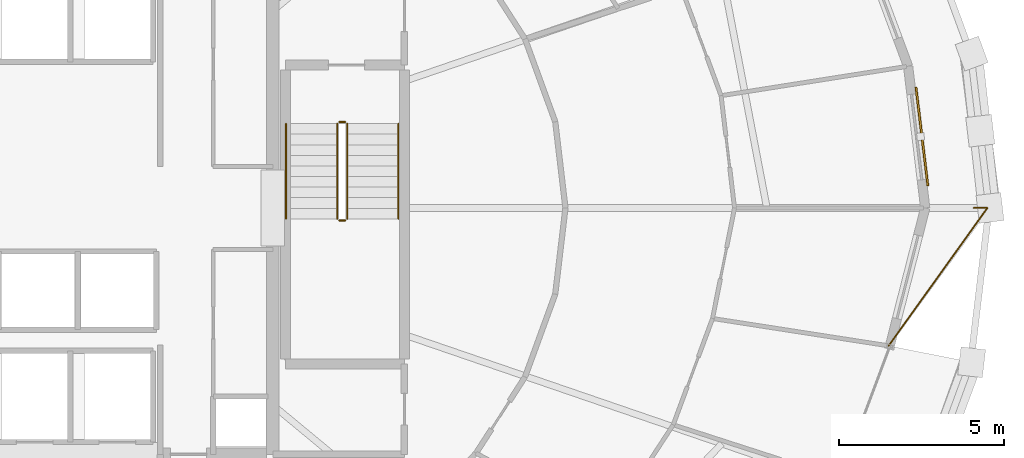
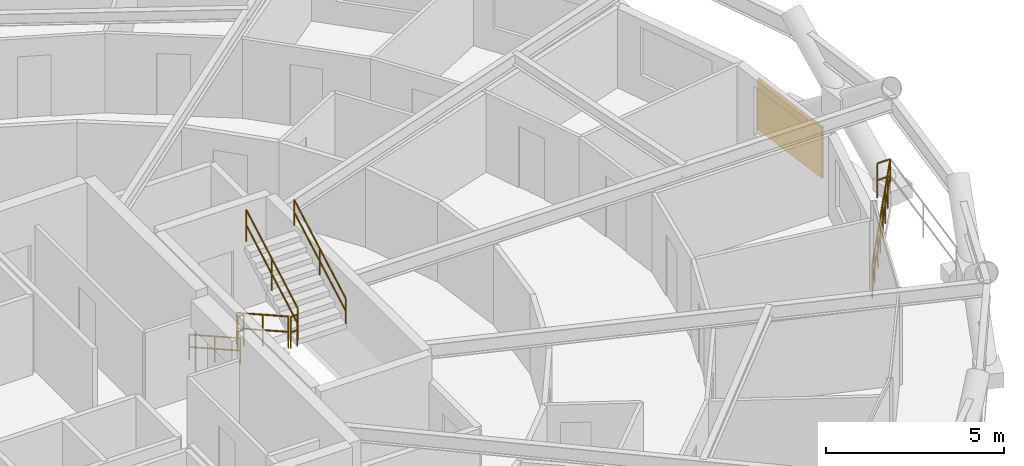
# One storey, part 23 of 23: 7 railings, 1 shading device.
"""IFC4 building model written with IfcOpenShell, lengths in metres."""

import ifcopenshell
import ifcopenshell.guid

model = None  # the IFC model being written
_history = None  # IfcOwnerHistory: only IFC2X3 demands one
_inside = {}  # id of a spatial element -> (the spatial element, [elements in it])
_under = {}  # id of a project, library or spatial element -> (it, [spatial elements below it])
_declared = {}  # id of a project -> (the project, [libraries it declares])
_typed = {}  # id of a type object -> (the type object, [elements of that type])
_made_of = {}  # id of a material, layer set ... -> (it, [elements and type objects made of it])


def new_model(schema):
    """Start an empty IFC model of exactly this schema.

    Asked for "IFC4X3", IfcOpenShell would pick the latest addendum, in which some entities
    have other attributes; the version numbers below select the first issue.
    IFC2X3 requires an IfcOwnerHistory on every rooted entity: one is made here for all.
    """
    global model, _history
    if schema == "IFC4X3":
        model = ifcopenshell.file(schema_version=(4, 3, 0, 0))
    else:
        model = ifcopenshell.file(schema=schema)
    _inside.clear()
    _under.clear()
    _declared.clear()
    _typed.clear()
    _made_of.clear()
    _history = None
    if model.schema == "IFC2X3":
        org = make("IfcOrganization", Name="unknown")
        user = make(
            "IfcPersonAndOrganization",
            ThePerson=make("IfcPerson", FamilyName="unknown"),
            TheOrganization=org,
        )
        app = make(
            "IfcApplication",
            ApplicationDeveloper=org,
            Version="unknown",
            ApplicationFullName="unknown",
            ApplicationIdentifier="unknown",
        )
        _history = make(
            "IfcOwnerHistory",
            OwningUser=user,
            OwningApplication=app,
            ChangeAction="ADDED",
            CreationDate=0,
        )
    return model


def make(cls, **values):
    """One entity of the class cls with the attributes given. An attribute that is None is left unset."""
    return model.create_entity(
        cls, **{name: value for name, value in values.items() if value is not None}
    )


def rooted(cls, **values):
    """An entity with a GlobalId (a new one), such as an element, a storey or a relation."""
    return make(cls, GlobalId=ifcopenshell.guid.new(), OwnerHistory=_history, **values)


def si_unit(unit_type, name, prefix=None):
    """IfcSIUnit, for example si_unit("LENGTHUNIT", "METRE", prefix="MILLI")."""
    return make("IfcSIUnit", UnitType=unit_type, Prefix=prefix, Name=name)


def assignment(units):
    """IfcUnitAssignment: the units of a project."""
    return None if units is None else make("IfcUnitAssignment", Units=units)


def point(xyz):
    """IfcCartesianPoint."""
    return None if xyz is None else make("IfcCartesianPoint", Coordinates=xyz)


def direction(xyz):
    """IfcDirection."""
    return None if xyz is None else make("IfcDirection", DirectionRatios=xyz)


def frame(location, z_axis=None, x_axis=None):
    """IfcAxis2Placement3D, a coordinate frame: its origin and axes. An axis left out is left unset."""
    return make(
        "IfcAxis2Placement3D",
        Location=point(location),
        Axis=direction(z_axis),
        RefDirection=direction(x_axis),
    )


def frame_2d(location, x_axis=None):
    """IfcAxis2Placement2D, a coordinate frame in the plane: its origin and x axis."""
    return make(
        "IfcAxis2Placement2D", Location=point(location), RefDirection=direction(x_axis)
    )


def origin():
    """The frame at (0, 0, 0) with its axes left unset."""
    return frame((0.0, 0.0, 0.0))


def origin_2d():
    """The frame at (0, 0) in the plane with its x axis left unset."""
    return frame_2d((0.0, 0.0))


def place(relative_to, where):
    """IfcLocalPlacement: puts the frame where relative to a parent placement (None: the world)."""
    return make(
        "IfcLocalPlacement", PlacementRelTo=relative_to, RelativePlacement=where
    )


def context(
    kind, dimensions, precision=None, world=None, true_north=None, identifier=None
):
    """IfcGeometricRepresentationContext, for example the 3D "Model" context."""
    return make(
        "IfcGeometricRepresentationContext",
        ContextIdentifier=identifier,
        ContextType=kind,
        CoordinateSpaceDimension=dimensions,
        Precision=precision,
        WorldCoordinateSystem=world,
        TrueNorth=true_north,
    )


def subcontext(parent, identifier, kind, view, scale=None):
    """IfcGeometricRepresentationSubContext, for example "Body" below "Model"."""
    return make(
        "IfcGeometricRepresentationSubContext",
        ContextIdentifier=identifier,
        ContextType=kind,
        ParentContext=parent,
        TargetScale=scale,
        TargetView=view,
    )


def project(units=None, contexts=None):
    """IfcProject with its units and contexts."""
    return rooted(
        "IfcProject",
        Name="project",
        RepresentationContexts=contexts,
        UnitsInContext=assignment(units),
    )


def spatial(cls, under=None, at=None, **own):
    """A site, building, storey or space (cls), placed at a placement, below another one or the project."""
    s = rooted(cls, ObjectPlacement=at, **own)
    if under is not None:
        _under.setdefault(under.id(), (under, []))[1].append(s)
    return s


def profile(cls, at=None, kind="AREA", **sizes):
    """A parametric profile (cls). Its sizes go by their IFC names, for example OverallWidth=200.0."""
    return make(cls, ProfileType=kind, Position=at, **sizes)


def rectangle(**sizes):
    """IfcRectangleProfileDef."""
    return profile("IfcRectangleProfileDef", **sizes)


def circle(**sizes):
    """IfcCircleProfileDef."""
    return profile("IfcCircleProfileDef", **sizes)


def extrude(swept, where, along, depth):
    """IfcExtrudedAreaSolid: the profile swept, set in the frame where, extruded along a direction by depth."""
    return make(
        "IfcExtrudedAreaSolid",
        SweptArea=swept,
        Position=where,
        ExtrudedDirection=direction(along),
        Depth=depth,
    )


def shape(context_of_items, identifier, shape_type, items):
    """IfcShapeRepresentation: the items that make up one representation, for example the "Body"."""
    return make(
        "IfcShapeRepresentation",
        ContextOfItems=context_of_items,
        RepresentationIdentifier=identifier,
        RepresentationType=shape_type,
        Items=items,
    )


def material(Name=None, Category=None):
    """IfcMaterial."""
    return make("IfcMaterial", Name=Name, Category=Category)


def layer(
    of_material, thickness, ventilated=None, Name=None, Category=None, Priority=None
):
    """IfcMaterialLayer: one layer of a wall or slab, of a material (None: an air gap)."""
    return make(
        "IfcMaterialLayer",
        Material=of_material,
        LayerThickness=thickness,
        IsVentilated=ventilated,
        Name=Name,
        Category=Category,
        Priority=Priority,
    )


def layer_set(layers, Name=None):
    """IfcMaterialLayerSet."""
    return make("IfcMaterialLayerSet", MaterialLayers=layers, LayerSetName=Name)


def made_of(thing, what):
    """Note that an element or type object is made of a material, layer set ...; save() writes the relation."""
    if what is not None:
        _made_of.setdefault(what.id(), (what, []))[1].append(thing)
    return thing


def type_object(cls, material=None, **own):
    """A type object (cls), such as IfcWallType, which elements share."""
    return made_of(rooted(cls, **own), material)


def element(
    cls,
    number,
    at=None,
    inside=None,
    cuts=None,
    type_object=None,
    material=None,
    context=None,
    identifier="Body",
    shape_type=None,
    held_by="IfcProductDefinitionShape",
    body=None,
    shapes=None,
    **own,
):
    """One element of the class cls, such as IfcWall. Its Tag is "e" and its number.

    at: its placement. inside: the storey or other place that contains it. cuts: it is an
    opening in that element (IfcRelVoidsElement). A single representation is given by context,
    identifier, shape_type and body (its items); several are given by shapes. held_by: the class
    of the entity that holds the representations. save() writes the other relations.
    """
    e = rooted(cls, Tag="e%d" % number, ObjectPlacement=at, **own)
    if body is not None:
        shapes = [shape(context, identifier, shape_type, body)]
    if shapes is not None:
        e.Representation = make(held_by, Representations=shapes)
    if inside is not None:
        _inside.setdefault(inside.id(), (inside, []))[1].append(e)
    if cuts is not None:
        rooted(
            "IfcRelVoidsElement", RelatingBuildingElement=cuts, RelatedOpeningElement=e
        )
    if type_object is not None:
        _typed.setdefault(type_object.id(), (type_object, []))[1].append(e)
    return made_of(e, material)


def aggregate(whole, parts):
    """IfcRelAggregates: a whole, such as a stair, and the parts it consists of."""
    return rooted("IfcRelAggregates", RelatingObject=whole, RelatedObjects=parts)


def save(model, path):
    """Write the relations noted so far, then the file.

    IfcRelAggregates (storeys below a building ...), IfcRelContainedInSpatialStructure (elements
    in a storey), IfcRelDefinesByType, IfcRelAssociatesMaterial and IfcRelDeclares: one each for
    every whole, place, type object, material and project.
    """
    for whole, parts in _under.values():
        aggregate(whole, parts)
    for where, things in _inside.values():
        rooted(
            "IfcRelContainedInSpatialStructure",
            RelatedElements=things,
            RelatingStructure=where,
        )
    for kind, things in _typed.values():
        rooted("IfcRelDefinesByType", RelatedObjects=things, RelatingType=kind)
    for what, things in _made_of.values():
        rooted("IfcRelAssociatesMaterial", RelatedObjects=things, RelatingMaterial=what)
    for by, libraries in _declared.values():
        rooted("IfcRelDeclares", RelatingContext=by, RelatedDefinitions=libraries)
    model.write(path)


model = new_model("IFC4")

# Units and contexts
model_context = context("Model", 3, precision=1e-05, world=origin(), true_north=direction((0.0, 1.0)))
body_context = subcontext(model_context, "Body", "Model", "MODEL_VIEW")
ifc_project = project(units=[si_unit("LENGTHUNIT", "METRE"), si_unit("AREAUNIT", "SQUARE_METRE"), si_unit("VOLUMEUNIT", "CUBIC_METRE"), si_unit("PLANEANGLEUNIT", "RADIAN"), si_unit("MASSUNIT", "GRAM", prefix="KILO")], contexts=[model_context])

# Site, building, storey
site_placement = place(None, origin())
site = spatial("IfcSite", under=ifc_project, at=site_placement, CompositionType="ELEMENT")
building_placement = place(site_placement, origin())
building = spatial("IfcBuilding", under=site, at=building_placement, Name="Veldorina Hangang Commons", CompositionType="ELEMENT")
storey_placement = place(building_placement, frame((0.0, 0.0, 95.199951171875)))
storey = spatial("IfcBuildingStorey", under=building, at=storey_placement, Name="L24", CompositionType="ELEMENT", Elevation=95.199951171875)

# Railings
ifc_material_1 = material(Name="Glass Laminated Safety Balustrade", Category="glass")
railing_type_1 = type_object("IfcRailingType", Name="RL-BAL-LOGGIA", PredefinedType="BALUSTRADE", material=ifc_material_1)
railing_1_placement = place(storey_placement, frame((60.38916015625, 24.0, 0.0)))
element("IfcRailing", 1, at=railing_1_placement, inside=storey, type_object=railing_type_1, Name="L24 sky-garden loggia end balustrade B", PredefinedType="BALUSTRADE", context=body_context, shape_type="SweptSolid", body=[
    extrude(circle(Radius=0.02392578125, at=origin_2d()), frame((0.0, 0.0, 1.17578125), z_axis=(1.0, 0.0, 0.0), x_axis=(0.0, 1.0, 0.0)), (0.0, 0.0, 1.0), 0.419921875),
    extrude(circle(Radius=0.02392578125, at=origin_2d()), frame((0.0, 0.0, 0.60009765625), z_axis=(1.0, 0.0, 0.0), x_axis=(0.0, 1.0, 0.0)), (0.0, 0.0, 1.0), 0.419921875),
    extrude(circle(Radius=0.02392578125, at=origin_2d()), frame((0.419921875, 0.0, 1.17578125), z_axis=(-0.582305034853, -0.812970384691, 0.0), x_axis=(0.812970384691, -0.582305034853, 0.0)), (0.0, 0.0, 1.0), 5.1279296875),
    extrude(circle(Radius=0.02392578125, at=origin_2d()), frame((0.419921875, 0.0, 0.60009765625), z_axis=(-0.582305034853, -0.812970384691, 0.0), x_axis=(0.812970384691, -0.582305034853, 0.0)), (0.0, 0.0, 1.0), 5.1279296875),
    extrude(circle(Radius=0.02099609375, at=origin_2d()), origin(), (0.0, 0.0, 1.0), 1.15185546875),
    extrude(circle(Radius=0.02099609375, at=origin_2d()), frame((0.419921875, 0.0, 0.0)), (0.0, 0.0, 1.0), 1.15185546875),
    extrude(circle(Radius=0.02099609375, at=origin_2d()), frame((-0.006591796875, -0.595458984375, 0.0)), (0.0, 0.0, 1.0), 1.15185546875),
    extrude(circle(Radius=0.02099609375, at=origin_2d()), frame((-0.433349609375, -1.191162109375, 0.0)), (0.0, 0.0, 1.0), 1.15185546875),
    extrude(circle(Radius=0.02099609375, at=origin_2d()), frame((-0.85986328125, -1.78662109375, 0.0)), (0.0, 0.0, 1.0), 1.15185546875),
    extrude(circle(Radius=0.02099609375, at=origin_2d()), frame((-1.286376953125, -2.38232421875, 0.0)), (0.0, 0.0, 1.0), 1.15185546875),
    extrude(circle(Radius=0.02099609375, at=origin_2d()), frame((-1.712890625, -2.977783203125, 0.0)), (0.0, 0.0, 1.0), 1.15185546875),
    extrude(circle(Radius=0.02099609375, at=origin_2d()), frame((-2.1396484375, -3.573486328125, 0.0)), (0.0, 0.0, 1.0), 1.15185546875),
    extrude(circle(Radius=0.02099609375, at=origin_2d()), frame((-2.566162109375, -4.1689453125, 0.0)), (0.0, 0.0, 1.0), 1.15185546875),
])
ifc_material_2 = material(Name="Steel Painted Balustrade", Category="steel")
railing_type_2 = type_object("IfcRailingType", Name="RL-GRD-STAIR", PredefinedType="GUARDRAIL", material=ifc_material_2)
railing_2_placement = place(storey_placement, frame((41.14990234375, 26.550048828125, 0.179931640625)))
element("IfcRailing", 2, at=railing_2_placement, inside=storey, type_object=railing_type_2, Name="L24 ST-2 stair guard 1", PredefinedType="GUARDRAIL", context=body_context, shape_type="SweptSolid", body=[
    extrude(circle(Radius=0.02392578125, at=origin_2d()), frame((0.0, 0.0, 1.076171875), z_axis=(0.0, -0.871569617843, 0.490271762652), x_axis=(1.0, 0.0, 0.0)), (0.0, 0.0, 1.0), 3.304443359375),
    extrude(circle(Radius=0.02392578125, at=origin_2d()), frame((0.0, 0.0, 0.550048828125), z_axis=(0.0, -0.871569617843, 0.490271762652), x_axis=(1.0, 0.0, 0.0)), (0.0, 0.0, 1.0), 3.304443359375),
    extrude(circle(Radius=0.02099609375, at=origin_2d()), origin(), (0.0, 0.0, 1.0), 1.052001953125),
    extrude(circle(Radius=0.02099609375, at=origin_2d()), frame((0.0, -1.43994140625, 0.81005859375)), (0.0, 0.0, 1.0), 1.052001953125),
    extrude(circle(Radius=0.02099609375, at=origin_2d()), frame((0.0, -2.880126953125, 1.6201171875)), (0.0, 0.0, 1.0), 1.052001953125),
])
railing_3_placement = place(storey_placement, frame((41.199951171875, 23.6201171875, 1.800048828125)))
element("IfcRailing", 3, at=railing_3_placement, inside=storey, type_object=railing_type_2, Name="L24 ST-2 stair guard 2", PredefinedType="GUARDRAIL", context=body_context, shape_type="SweptSolid", body=[
    extrude(circle(Radius=0.02392578125, at=origin_2d()), frame((0.0, 0.0, 1.076171875), z_axis=(1.0, 0.0, 0.0), x_axis=(0.0, 1.0, 0.0)), (0.0, 0.0, 1.0), 0.199951171875),
    extrude(circle(Radius=0.02392578125, at=origin_2d()), frame((0.0, 0.0, 0.550048828125), z_axis=(1.0, 0.0, 0.0), x_axis=(0.0, 1.0, 0.0)), (0.0, 0.0, 1.0), 0.199951171875),
    extrude(circle(Radius=0.02099609375, at=origin_2d()), origin(), (0.0, 0.0, 1.0), 1.052001953125),
    extrude(circle(Radius=0.02099609375, at=origin_2d()), frame((0.199951171875, 0.0, 0.0)), (0.0, 0.0, 1.0), 1.052001953125),
])
railing_4_placement = place(storey_placement, frame((41.449951171875, 23.669921875, 1.97998046875)))
element("IfcRailing", 4, at=railing_4_placement, inside=storey, type_object=railing_type_2, Name="L24 ST-2 stair guard 3", PredefinedType="GUARDRAIL", context=body_context, shape_type="SweptSolid", body=[
    extrude(circle(Radius=0.02392578125, at=origin_2d()), frame((0.0, 0.0, 1.076171875), z_axis=(0.0, 0.871569617843, 0.490271762652), x_axis=(-1.0, 0.0, 0.0)), (0.0, 0.0, 1.0), 3.304443359375),
    extrude(circle(Radius=0.02392578125, at=origin_2d()), frame((0.0, 0.0, 0.550048828125), z_axis=(0.0, 0.871569617843, 0.490271762652), x_axis=(-1.0, 0.0, 0.0)), (0.0, 0.0, 1.0), 3.304443359375),
    extrude(circle(Radius=0.02099609375, at=origin_2d()), origin(), (0.0, 0.0, 1.0), 1.052001953125),
    extrude(circle(Radius=0.02099609375, at=origin_2d()), frame((0.0, 1.43994140625, 0.81005859375)), (0.0, 0.0, 1.0), 1.052001953125),
    extrude(circle(Radius=0.02099609375, at=origin_2d()), frame((0.0, 2.880126953125, 1.6201171875)), (0.0, 0.0, 1.0), 1.052001953125),
])
railing_5_placement = place(storey_placement, frame((41.199951171875, 26.60009765625, 0.0)))
element("IfcRailing", 5, at=railing_5_placement, inside=storey, type_object=railing_type_2, Name="L24 ST-2 stair guard 4", PredefinedType="GUARDRAIL", context=body_context, shape_type="SweptSolid", body=[
    extrude(circle(Radius=0.02392578125, at=origin_2d()), frame((0.0, 0.0, 1.076171875), z_axis=(1.0, 0.0, 0.0), x_axis=(0.0, 1.0, 0.0)), (0.0, 0.0, 1.0), 0.199951171875),
    extrude(circle(Radius=0.02392578125, at=origin_2d()), frame((0.0, 0.0, 0.550048828125), z_axis=(1.0, 0.0, 0.0), x_axis=(0.0, 1.0, 0.0)), (0.0, 0.0, 1.0), 0.199951171875),
    extrude(circle(Radius=0.02099609375, at=origin_2d()), origin(), (0.0, 0.0, 1.0), 1.052001953125),
    extrude(circle(Radius=0.02099609375, at=origin_2d()), frame((0.199951171875, 0.0, 0.0)), (0.0, 0.0, 1.0), 1.052001953125),
])
ifc_material_3 = material(Name="Stainless Steel Brushed 316", Category="steel")
railing_type_3 = type_object("IfcRailingType", Name="RL-HND-STAIR", PredefinedType="HANDRAIL", material=ifc_material_3)
railing_6_placement = place(storey_placement, frame((39.60009765625, 26.550048828125, 0.179931640625)))
element("IfcRailing", 6, at=railing_6_placement, inside=storey, type_object=railing_type_3, Name="L24 ST-2 stair handrail 1", PredefinedType="HANDRAIL", context=body_context, shape_type="SweptSolid", body=[
    extrude(circle(Radius=0.02392578125, at=origin_2d()), frame((0.0, 0.0, 0.8759765625), z_axis=(0.0, -0.871569617843, 0.490271762652), x_axis=(1.0, 0.0, 0.0)), (0.0, 0.0, 1.0), 3.304443359375),
    extrude(circle(Radius=0.02392578125, at=origin_2d()), frame((0.0, 0.0, 0.449951171875), z_axis=(0.0, -0.871569617843, 0.490271762652), x_axis=(1.0, 0.0, 0.0)), (0.0, 0.0, 1.0), 3.304443359375),
    extrude(circle(Radius=0.02099609375, at=origin_2d()), origin(), (0.0, 0.0, 1.0), 0.851806640625),
    extrude(circle(Radius=0.02099609375, at=origin_2d()), frame((0.0, -1.43994140625, 0.81005859375)), (0.0, 0.0, 1.0), 0.851806640625),
    extrude(circle(Radius=0.02099609375, at=origin_2d()), frame((0.0, -2.880126953125, 1.6201171875)), (0.0, 0.0, 1.0), 0.851806640625),
])
railing_7_placement = place(storey_placement, frame((43.0, 23.669921875, 1.97998046875)))
element("IfcRailing", 7, at=railing_7_placement, inside=storey, type_object=railing_type_3, Name="L24 ST-2 stair handrail 2", PredefinedType="HANDRAIL", context=body_context, shape_type="SweptSolid", body=[
    extrude(circle(Radius=0.02392578125, at=origin_2d()), frame((0.0, 0.0, 0.8759765625), z_axis=(0.0, 0.871569617843, 0.490271762652), x_axis=(-1.0, 0.0, 0.0)), (0.0, 0.0, 1.0), 3.304443359375),
    extrude(circle(Radius=0.02392578125, at=origin_2d()), frame((0.0, 0.0, 0.449951171875), z_axis=(0.0, 0.871569617843, 0.490271762652), x_axis=(-1.0, 0.0, 0.0)), (0.0, 0.0, 1.0), 3.304443359375),
    extrude(circle(Radius=0.02099609375, at=origin_2d()), origin(), (0.0, 0.0, 1.0), 0.851806640625),
    extrude(circle(Radius=0.02099609375, at=origin_2d()), frame((0.0, 1.43994140625, 0.81005859375)), (0.0, 0.0, 1.0), 0.851806640625),
    extrude(circle(Radius=0.02099609375, at=origin_2d()), frame((0.0, 2.880126953125, 1.6201171875)), (0.0, 0.0, 1.0), 0.851806640625),
])

# Shading device
ifc_material_4 = material(Name="Ceramic Glazed Terracotta", Category="masonry")
ifc_layer = layer(ifc_material_4, 0.06005859375)
ifc_layer_set = layer_set([ifc_layer], Name="Ceramic Glazed Terracotta")
shading_device_type = type_object("IfcShadingDeviceType", Name="SCR-CER-3000", PredefinedType="USERDEFINED", material=ifc_layer_set)
shading_device_placement = place(storey_placement, frame((58.8291015625, 26.16162109375, 0.75), z_axis=(0.0, 0.0, 1.0), x_axis=(-0.119876931456, 0.992788759659, 0.0)))
element("IfcShadingDevice", 8, at=shading_device_placement, inside=storey, type_object=shading_device_type, Name="L24 PERFORATED CERAMIC SOLAR SCREEN 00", ObjectType="SCREEN", PredefinedType="USERDEFINED", context=body_context, shape_type="SweptSolid", body=[
    extrude(rectangle(XDim=3.0, YDim=0.06005859375, at=origin_2d()), origin(), (0.0, 0.0, 1.0), 1.75),
])

save(model, "model.ifc")
